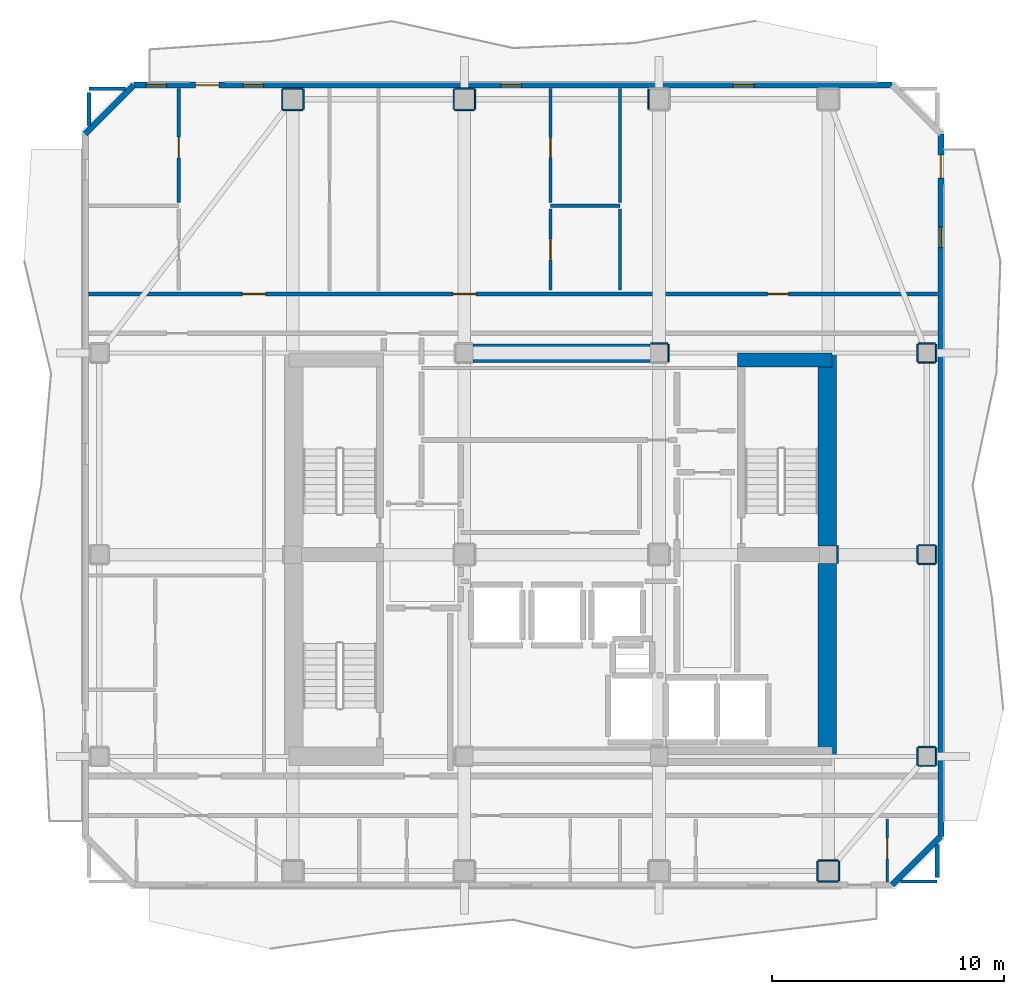
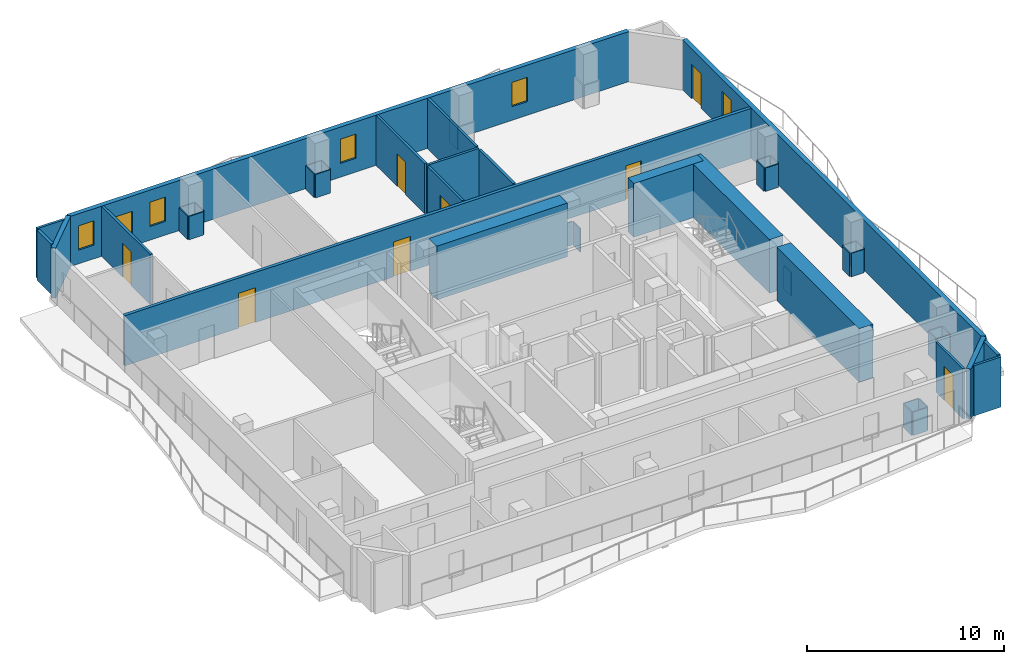
# One storey, part 5 of 10: 48 walls, 9 doors, 5 windows, 14 openings.
"""IFC4 building model written with IfcOpenShell, lengths in metres."""

from ifc_helpers import new_model, si_unit, direction, frame, frame_2d, origin, place, context, subcontext, project, spatial, rectangle, extrude, material, layer, layer_set, type_object, element, fill, save


model = new_model("IFC4")

# Units and contexts
model_context = context("Model", 3, precision=1e-05, world=origin(), true_north=direction((0.0, 1.0)))
body_context = subcontext(model_context, "Body", "Model", "MODEL_VIEW")
ifc_project = project(units=[si_unit("LENGTHUNIT", "METRE"), si_unit("AREAUNIT", "SQUARE_METRE"), si_unit("VOLUMEUNIT", "CUBIC_METRE"), si_unit("PLANEANGLEUNIT", "RADIAN"), si_unit("MASSUNIT", "GRAM", prefix="KILO")], contexts=[model_context])

# Site, building, storey
site_placement = place(None, origin())
site = spatial("IfcSite", under=ifc_project, at=site_placement, CompositionType="ELEMENT")
building_placement = place(site_placement, origin())
building = spatial("IfcBuilding", under=site, at=building_placement, Name="Solanera Arch Residences", CompositionType="ELEMENT")
storey_placement = place(building_placement, frame((0.0, 0.0, 262.239990234375)))
storey = spatial("IfcBuildingStorey", under=building, at=storey_placement, Name="L76", CompositionType="ELEMENT", Elevation=262.239990234375)

# Walls
ifc_material_1 = material(Name="Fire-Rated Gypsum Stud Partition", Category="gypsum")
ifc_layer_1 = layer(ifc_material_1, 0.06005859375)
ifc_layer_set_1 = layer_set([ifc_layer_1], Name="Fire-Rated Gypsum Stud Partition")
wall_type_1 = type_object("IfcWallType", Name="Column Acoustic Furring Wall 60", PredefinedType="PARTITIONING", material=ifc_layer_set_1)
wall_1_placement = place(storey_placement, frame((28.8330078125, 39.806884765625, 0.0), z_axis=(0.0, 0.0, 1.0), x_axis=(1.0, 0.0, 0.0)))
element("IfcWall", 1, at=wall_1_placement, inside=storey, type_object=wall_type_1, Name="L76 Column Furring 4N", PredefinedType="PARTITIONING", context=body_context, shape_type="SweptSolid", body=[
    extrude(rectangle(XDim=0.741943359375, YDim=0.06005859375, at=frame_2d((0.37109375, 0.0))), origin(), (0.0, 0.0, 1.0), 1.449951171875),
])
for number, where, z_axis, x_axis, name in (
    (2, (29.60693359375, 39.02490234375, 0.0), (0.0, 0.0, 1.0), (0.0, 1.0, 0.0), "L76 Column Furring 4E"),
    (3, (36.906982421875, 30.324951171875, 0.0), (0.0, 0.0, 1.0), (0.0, 1.0, 0.0), "L76 Column Furring 6E"),
):
    element("IfcWall", number, at=place(storey_placement, frame(where, z_axis=z_axis, x_axis=x_axis)), inside=storey, type_object=wall_type_1, Name=name, PredefinedType="PARTITIONING", context=body_context, shape_type="SweptSolid", body=[
        extrude(rectangle(XDim=0.75, YDim=0.06005859375, at=frame_2d((0.375, 0.0))), origin(), (0.0, 0.0, 1.0), 1.449951171875),
    ])
for number, where, z_axis, x_axis, name in (
    (4, (12.97509765625, 49.89306640625, 0.0), (0.0, 0.0, 1.0), (1.0, 0.0, 0.0), "L76 Column Furring 10S"),
    (5, (12.97509765625, 50.806884765625, 0.0), (0.0, 0.0, 1.0), (1.0, 0.0, 0.0), "L76 Column Furring 10N"),
    (6, (12.943115234375, 49.925048828125, 0.0), (0.0, 0.0, 1.0), (0.0, 1.0, 0.0), "L76 Column Furring 10W"),
    (7, (13.85693359375, 49.925048828125, 0.0), (0.0, 0.0, 1.0), (0.0, 1.0, 0.0), "L76 Column Furring 10E"),
):
    element("IfcWall", number, at=place(storey_placement, frame(where, z_axis=z_axis, x_axis=x_axis)), inside=storey, type_object=wall_type_1, Name=name, PredefinedType="PARTITIONING", context=body_context, shape_type="SweptSolid", body=[
        extrude(rectangle(XDim=0.849853515625, YDim=0.06005859375, at=frame_2d((0.4248046875, 0.0))), origin(), (0.0, 0.0, 1.0), 1.449951171875),
    ])
for number, where, z_axis, x_axis, name in (
    (8, (20.375, 49.89306640625, 0.0), (0.0, 0.0, 1.0), (1.0, 0.0, 0.0), "L76 Column Furring 12S"),
    (9, (20.375, 50.806884765625, 0.0), (0.0, 0.0, 1.0), (1.0, 0.0, 0.0), "L76 Column Furring 12N"),
):
    element("IfcWall", number, at=place(storey_placement, frame(where, z_axis=z_axis, x_axis=x_axis)), inside=storey, type_object=wall_type_1, Name=name, PredefinedType="PARTITIONING", context=body_context, shape_type="SweptSolid", body=[
        extrude(rectangle(XDim=0.85009765625, YDim=0.06005859375, at=frame_2d((0.425048828125, 0.0))), origin(), (0.0, 0.0, 1.0), 1.449951171875),
    ])
for number, where, z_axis, x_axis, name in (
    (10, (20.343017578125, 49.925048828125, 0.0), (0.0, 0.0, 1.0), (0.0, 1.0, 0.0), "L76 Column Furring 12W"),
    (11, (21.257080078125, 49.925048828125, 0.0), (0.0, 0.0, 1.0), (0.0, 1.0, 0.0), "L76 Column Furring 12E"),
    (12, (28.742919921875, 49.925048828125, 0.0), (0.0, 0.0, 1.0), (0.0, 1.0, 0.0), "L76 Column Furring 14W"),
):
    element("IfcWall", number, at=place(storey_placement, frame(where, z_axis=z_axis, x_axis=x_axis)), inside=storey, type_object=wall_type_1, Name=name, PredefinedType="PARTITIONING", context=body_context, shape_type="SweptSolid", body=[
        extrude(rectangle(XDim=0.849853515625, YDim=0.06005859375, at=frame_2d((0.4248046875, 0.0))), origin(), (0.0, 0.0, 1.0), 1.449951171875),
    ])
for number, where, z_axis, x_axis, name in (
    (13, (36.074951171875, 16.593017578125, 0.0), (0.0, 0.0, 1.0), (1.0, 0.0, 0.0), "L76 Column Furring 15S"),
    (14, (36.074951171875, 17.507080078125, 0.0), (0.0, 0.0, 1.0), (1.0, 0.0, 0.0), "L76 Column Furring 15N"),
    (15, (36.04296875, 16.625, 0.0), (0.0, 0.0, 1.0), (0.0, 1.0, 0.0), "L76 Column Furring 15W"),
    (16, (36.95703125, 16.625, 0.0), (0.0, 0.0, 1.0), (0.0, 1.0, 0.0), "L76 Column Furring 15E"),
):
    element("IfcWall", number, at=place(storey_placement, frame(where, z_axis=z_axis, x_axis=x_axis)), inside=storey, type_object=wall_type_1, Name=name, PredefinedType="PARTITIONING", context=body_context, shape_type="SweptSolid", body=[
        extrude(rectangle(XDim=0.85009765625, YDim=0.06005859375, at=frame_2d((0.425048828125, 0.0))), origin(), (0.0, 0.0, 1.0), 1.449951171875),
    ])
for number, where, z_axis, x_axis, name in (
    (17, (40.375, 21.593017578125, 0.0), (0.0, 0.0, 1.0), (1.0, 0.0, 0.0), "L76 Column Furring 18S"),
    (18, (40.375, 22.406982421875, 0.0), (0.0, 0.0, 1.0), (1.0, 0.0, 0.0), "L76 Column Furring 18N"),
    (19, (40.343017578125, 21.625, 0.0), (0.0, 0.0, 1.0), (0.0, 1.0, 0.0), "L76 Column Furring 18W"),
    (20, (41.156982421875, 21.625, 0.0), (0.0, 0.0, 1.0), (0.0, 1.0, 0.0), "L76 Column Furring 18E"),
    (21, (40.375, 30.29296875, 0.0), (0.0, 0.0, 1.0), (1.0, 0.0, 0.0), "L76 Column Furring 20S"),
    (22, (40.375, 31.10693359375, 0.0), (0.0, 0.0, 1.0), (1.0, 0.0, 0.0), "L76 Column Furring 20N"),
    (23, (40.343017578125, 30.324951171875, 0.0), (0.0, 0.0, 1.0), (0.0, 1.0, 0.0), "L76 Column Furring 20W"),
    (24, (41.156982421875, 30.324951171875, 0.0), (0.0, 0.0, 1.0), (0.0, 1.0, 0.0), "L76 Column Furring 20E"),
    (25, (40.375, 38.992919921875, 0.0), (0.0, 0.0, 1.0), (1.0, 0.0, 0.0), "L76 Column Furring 22S"),
    (26, (40.375, 39.806884765625, 0.0), (0.0, 0.0, 1.0), (1.0, 0.0, 0.0), "L76 Column Furring 22N"),
    (27, (40.343017578125, 39.02490234375, 0.0), (0.0, 0.0, 1.0), (0.0, 1.0, 0.0), "L76 Column Furring 22W"),
    (28, (41.156982421875, 39.02490234375, 0.0), (0.0, 0.0, 1.0), (0.0, 1.0, 0.0), "L76 Column Furring 22E"),
):
    element("IfcWall", number, at=place(storey_placement, frame(where, z_axis=z_axis, x_axis=x_axis)), inside=storey, type_object=wall_type_1, Name=name, PredefinedType="PARTITIONING", context=body_context, shape_type="SweptSolid", body=[
        extrude(rectangle(XDim=0.75, YDim=0.06005859375, at=frame_2d((0.375, 0.0))), origin(), (0.0, 0.0, 1.0), 1.449951171875),
    ])
ifc_material_2 = material(Name="Concrete C40/50 (f'c = 45 MPa)", Category="concrete")
ifc_layer_2 = layer(ifc_material_2, 0.60009765625)
ifc_layer_set_2 = layer_set([ifc_layer_2], Name="Concrete C40/50 (f'c = 45 MPa)")
wall_type_2 = type_object("IfcWallType", Name="Core Shear Wall CW-600", PredefinedType="SHEAR", material=ifc_layer_set_2)
wall_2_placement = place(storey_placement, frame((32.580078125, 39.10009765625, 0.0), z_axis=(0.0, 0.0, 1.0), x_axis=(1.0, 0.0, 0.0)))
element("IfcWall", 29, at=wall_2_placement, inside=storey, type_object=wall_type_2, Name="L76 North-East Core Shear Wall", PredefinedType="SHEAR", context=body_context, shape_type="SweptSolid", body=[
    extrude(rectangle(XDim=4.079833984375, YDim=0.60009765625, at=frame_2d((2.0400390625, 0.0))), origin(), (0.0, 0.0, 1.0), 3.320068359375),
])
ifc_material_3 = material(Name="Concrete C40/50 (f'c = 45 MPa)", Category="concrete")
ifc_layer_3 = layer(ifc_material_3, 0.800048828125)
ifc_layer_set_3 = layer_set([ifc_layer_3], Name="Concrete C40/50 (f'c = 45 MPa)")
wall_type_3 = type_object("IfcWallType", Name="Core Shear Wall CW-800", PredefinedType="SHEAR", material=ifc_layer_set_3)
wall_3_placement = place(storey_placement, frame((36.4599609375, 22.0, 0.0), z_axis=(0.0, 0.0, 1.0), x_axis=(0.0, 1.0, 0.0)))
element("IfcWall", 30, at=wall_3_placement, inside=storey, type_object=wall_type_3, Name="L76 East Core South Shear Wall", PredefinedType="SHEAR", context=body_context, shape_type="SweptSolid", body=[
    extrude(rectangle(XDim=8.320068359375, YDim=0.800048828125, at=frame_2d((4.16015625, 0.0))), origin(), (0.0, 0.0, 1.0), 3.320068359375),
])
wall_4_placement = place(storey_placement, frame((36.4599609375, 31.080078125, 0.0), z_axis=(0.0, 0.0, 1.0), x_axis=(0.0, 1.0, 0.0)))
element("IfcWall", 31, at=wall_4_placement, inside=storey, type_object=wall_type_3, Name="L76 East Core North Shear Wall", PredefinedType="SHEAR", context=body_context, shape_type="SweptSolid", body=[
    extrude(rectangle(XDim=8.31982421875, YDim=0.800048828125, at=frame_2d((4.159912109375, 0.0))), origin(), (0.0, 0.0, 1.0), 3.320068359375),
])
wall_5_placement = place(storey_placement, frame((21.179931640625, 39.39990234375, 0.0), z_axis=(0.0, 0.0, 1.0), x_axis=(1.0, 0.0, 0.0)))
element("IfcWall", 32, at=wall_5_placement, inside=storey, type_object=wall_type_3, Name="L76 Central North Core Shear Wall", PredefinedType="SHEAR", context=body_context, shape_type="SweptSolid", body=[
    extrude(rectangle(XDim=7.64013671875, YDim=0.800048828125, at=frame_2d((3.820068359375, 0.0))), origin(), (0.0, 0.0, 1.0), 3.320068359375),
])

# Wall, openings, doors
ifc_material_4 = material(Name="Autoclaved Aerated Concrete Blockwork", Category="masonry")
ifc_layer_4 = layer(ifc_material_4, 0.179931640625)
ifc_layer_set_4 = layer_set([ifc_layer_4], Name="Autoclaved Aerated Concrete Blockwork")
wall_type_4 = type_object("IfcWallType", Name="Corridor Fire Partition 180", PredefinedType="PARTITIONING", material=ifc_layer_set_4)
wall_6_placement = place(storey_placement, frame((4.5869140625, 41.949951171875, 0.0), z_axis=(0.0, 0.0, 1.0), x_axis=(1.0, 0.0, 0.0)))
wall_6 = element("IfcWall", 33, at=wall_6_placement, inside=storey, type_object=wall_type_4, Name="L76 Interior Partition H12", PredefinedType="PARTITIONING", context=body_context, shape_type="SweptSolid", body=[
    extrude(rectangle(XDim=36.6259765625, YDim=0.179931640625, at=frame_2d((18.31298828125, 0.0))), origin(), (0.0, 0.0, 1.0), 3.10009765625),
])
opening_1_placement = place(wall_6_placement, frame((6.638916015625, 0.0, 0.0)))
opening_1 = element("IfcOpeningElement", 34, at=opening_1_placement, cuts=wall_6, Name="Opening DI-01", PredefinedType="OPENING", context=body_context, shape_type="SweptSolid", body=[
    extrude(rectangle(XDim=1.0, YDim=2.14990234375, at=frame_2d((0.5, 1.074951171875))), frame((0.0, 0.10009765625, 0.0), z_axis=(0.0, -1.0, 0.0), x_axis=(1.0, 0.0, 0.0)), (0.0, 0.0, 1.0), 0.1999),
])
opening_2_placement = place(wall_6_placement, frame((15.720947265625, 0.0, 0.0)))
opening_2 = element("IfcOpeningElement", 35, at=opening_2_placement, cuts=wall_6, Name="Opening DI-01", PredefinedType="OPENING", context=body_context, shape_type="SweptSolid", body=[
    extrude(rectangle(XDim=1.0, YDim=2.14990234375, at=frame_2d((0.5, 1.074951171875))), frame((0.0, 0.10009765625, 0.0), z_axis=(0.0, -1.0, 0.0), x_axis=(1.0, 0.0, 0.0)), (0.0, 0.0, 1.0), 0.1999),
])
opening_3_placement = place(wall_6_placement, frame((29.299072265625, 0.0, 0.0)))
opening_3 = element("IfcOpeningElement", 36, at=opening_3_placement, cuts=wall_6, Name="Opening DI-02", PredefinedType="OPENING", context=body_context, shape_type="SweptSolid", body=[
    extrude(rectangle(XDim=0.89990234375, YDim=2.10009765625, at=frame_2d((0.449951171875, 1.050048828125))), frame((0.0, 0.10009765625, 0.0), z_axis=(0.0, -1.0, 0.0), x_axis=(1.0, 0.0, 0.0)), (0.0, 0.0, 1.0), 0.1999),
])
ifc_material_5 = material(Name="Fire-Rated Architectural Hardwood", Category="wood")
door_type_1 = type_object("IfcDoorType", Name="Suite Room Swing Door DI-02", OperationType="NOTDEFINED", PredefinedType="DOOR", material=ifc_material_5)
door_1_placement = place(opening_3_placement, origin())
door_1 = element("IfcDoor", 37, at=door_1_placement, inside=storey, type_object=door_type_1, Name="DR-L76-IN-030", OperationType="SINGLE_SWING_RIGHT", OverallHeight=2.10009765625, OverallWidth=0.89990234375, PredefinedType="DOOR", context=body_context, shape_type="SweptSolid", body=[
    extrude(rectangle(XDim=0.89990234375, YDim=2.10009765625, at=frame_2d((0.449951171875, 1.050048828125))), frame((0.0, 0.02490234375, 0.0), z_axis=(0.0, -1.0, 0.0), x_axis=(1.0, 0.0, 0.0)), (0.0, 0.0, 1.0), 0.050048828125),
])
fill(opening_3, door_1)
ifc_material_6 = material(Name="Fire-Rated Architectural Hardwood", Category="wood")
door_type_2 = type_object("IfcDoorType", Name="Unit Entrance Fire Door DI-01", OperationType="NOTDEFINED", PredefinedType="DOOR", material=ifc_material_6)
door_2_placement = place(opening_1_placement, origin())
door_2 = element("IfcDoor", 38, at=door_2_placement, inside=storey, type_object=door_type_2, Name="DR-L76-IN-023", OperationType="SINGLE_SWING_LEFT", OverallHeight=2.14990234375, OverallWidth=1.0, PredefinedType="DOOR", context=body_context, shape_type="SweptSolid", body=[
    extrude(rectangle(XDim=1.0, YDim=2.14990234375, at=frame_2d((0.5, 1.074951171875))), frame((0.0, 0.02490234375, 0.0), z_axis=(0.0, -1.0, 0.0), x_axis=(1.0, 0.0, 0.0)), (0.0, 0.0, 1.0), 0.050048828125),
])
fill(opening_1, door_2)
door_3_placement = place(opening_2_placement, origin())
door_3 = element("IfcDoor", 39, at=door_3_placement, inside=storey, type_object=door_type_2, Name="DR-L76-IN-027", OperationType="SINGLE_SWING_LEFT", OverallHeight=2.14990234375, OverallWidth=1.0, PredefinedType="DOOR", context=body_context, shape_type="SweptSolid", body=[
    extrude(rectangle(XDim=1.0, YDim=2.14990234375, at=frame_2d((0.5, 1.074951171875))), frame((0.0, 0.02490234375, 0.0), z_axis=(0.0, -1.0, 0.0), x_axis=(1.0, 0.0, 0.0)), (0.0, 0.0, 1.0), 0.050048828125),
])
fill(opening_2, door_3)

# Walls
wall_7_placement = place(storey_placement, frame((4.60009765625, 49.2109375, 0.0), z_axis=(0.0, 0.0, 1.0), x_axis=(0.0, 1.0, 0.0)))
element("IfcWall", 40, at=wall_7_placement, inside=storey, type_object=wall_type_4, Name="L76 Interior Partition V7 2", PredefinedType="PARTITIONING", context=body_context, shape_type="SweptSolid", body=[
    extrude(rectangle(XDim=1.421142578125, YDim=0.179931640625, at=frame_2d((0.71044921875, 0.0))), origin(), (0.0, 0.0, 1.0), 3.10009765625),
])
wall_8_placement = place(storey_placement, frame((41.199951171875, 16.76806640625, 0.0), z_axis=(0.0, 0.0, 1.0), x_axis=(0.0, 1.0, 0.0)))
element("IfcWall", 41, at=wall_8_placement, inside=storey, type_object=wall_type_4, Name="L76 Interior Partition V9", PredefinedType="PARTITIONING", context=body_context, shape_type="SweptSolid", body=[
    extrude(rectangle(XDim=1.4208984375, YDim=0.179931640625, at=frame_2d((0.71044921875, 0.0))), origin(), (0.0, 0.0, 1.0), 3.10009765625),
])
ifc_material_7 = material(Name="Precast Concrete C35/45", Category="concrete")
ifc_layer_5 = layer(ifc_material_7, 0.260009765625)
ifc_layer_set_5 = layer_set([ifc_layer_5], Name="Precast Concrete C35/45")
wall_type_5 = type_object("IfcWallType", Name="Exterior Wall Precast Masonry-Frame 260", PredefinedType="STANDARD", material=ifc_layer_set_5)
wall_9_placement = place(storey_placement, frame((4.445068359375, 48.85498046875, 0.0), z_axis=(0.0, 0.0, 1.0), x_axis=(0.707065676302, 0.707147883682, 0.0)))
element("IfcWall", 42, at=wall_9_placement, inside=storey, type_object=wall_type_5, Name="L76 Tower Exterior Precast Masonry-Frame Wall CH1", PredefinedType="STANDARD", context=body_context, shape_type="SweptSolid", body=[
    extrude(rectangle(XDim=2.9697265625, YDim=0.260009765625, at=frame_2d((1.48486328125, 0.0))), origin(), (0.0, 0.0, 1.0), 3.10009765625),
])

# Wall, openings, door, windows
wall_10_placement = place(storey_placement, frame((6.544921875, 50.955078125, 0.0), z_axis=(0.0, 0.0, 1.0), x_axis=(1.0, 0.0, 0.0)))
wall_10 = element("IfcWall", 43, at=wall_10_placement, inside=storey, type_object=wall_type_5, Name="L76 Tower Exterior Precast Masonry-Frame Wall N", PredefinedType="STANDARD", context=body_context, shape_type="SweptSolid", body=[
    extrude(rectangle(XDim=32.7099609375, YDim=0.260009765625, at=frame_2d((16.35498046875, 0.0))), origin(), (0.0, 0.0, 1.0), 3.10009765625),
])
opening_4_placement = place(wall_10_placement, frame((2.6650390625, 0.0, 0.0)))
opening_4 = element("IfcOpeningElement", 44, at=opening_4_placement, cuts=wall_10, Name="Opening DB-01", PredefinedType="OPENING", context=body_context, shape_type="SweptSolid", body=[
    extrude(rectangle(XDim=1.0, YDim=2.14990234375, at=frame_2d((0.5, 1.074951171875))), frame((0.0, 0.139892578125, 0.0), z_axis=(0.0, -1.0, 0.0), x_axis=(1.0, 0.0, 0.0)), (0.0, 0.0, 1.0), 0.28),
])
opening_5_placement = place(wall_10_placement, frame((4.697998046875, 0.0, 0.85009765625)))
opening_5 = element("IfcOpeningElement", 45, at=opening_5_placement, cuts=wall_10, Name="Opening W-06", PredefinedType="OPENING", context=body_context, shape_type="SweptSolid", body=[
    extrude(rectangle(XDim=0.89990234375, YDim=1.5, at=frame_2d((0.449951171875, 0.75))), frame((0.0, 0.139892578125, 0.0), z_axis=(0.0, -1.0, 0.0), x_axis=(1.0, 0.0, 0.0)), (0.0, 0.0, 1.0), 0.28),
])
opening_6_placement = place(wall_10_placement, frame((0.509033203125, 0.0, 0.85009765625)))
opening_6 = element("IfcOpeningElement", 46, at=opening_6_placement, cuts=wall_10, Name="Opening W-06", PredefinedType="OPENING", context=body_context, shape_type="SweptSolid", body=[
    extrude(rectangle(XDim=0.89990234375, YDim=1.5, at=frame_2d((0.449951171875, 0.75))), frame((0.0, 0.139892578125, 0.0), z_axis=(0.0, -1.0, 0.0), x_axis=(1.0, 0.0, 0.0)), (0.0, 0.0, 1.0), 0.28),
])
opening_7_placement = place(wall_10_placement, frame((15.826904296875, 0.0, 0.85009765625)))
opening_7 = element("IfcOpeningElement", 47, at=opening_7_placement, cuts=wall_10, Name="Opening W-06", PredefinedType="OPENING", context=body_context, shape_type="SweptSolid", body=[
    extrude(rectangle(XDim=0.89990234375, YDim=1.5, at=frame_2d((0.449951171875, 0.75))), frame((0.0, 0.139892578125, 0.0), z_axis=(0.0, -1.0, 0.0), x_axis=(1.0, 0.0, 0.0)), (0.0, 0.0, 1.0), 0.28),
])
opening_8_placement = place(wall_10_placement, frame((25.85498046875, 0.0, 0.85009765625)))
opening_8 = element("IfcOpeningElement", 48, at=opening_8_placement, cuts=wall_10, Name="Opening W-06", PredefinedType="OPENING", context=body_context, shape_type="SweptSolid", body=[
    extrude(rectangle(XDim=0.89990234375, YDim=1.5, at=frame_2d((0.449951171875, 0.75))), frame((0.0, 0.139892578125, 0.0), z_axis=(0.0, -1.0, 0.0), x_axis=(1.0, 0.0, 0.0)), (0.0, 0.0, 1.0), 0.28),
])
ifc_material_8 = material(Name="Anodised Aluminium Alloy 6063-T6", Category="aluminium")
door_type_3 = type_object("IfcDoorType", Name="Glazed Balcony Swing Door DB-01", OperationType="NOTDEFINED", PredefinedType="DOOR", material=ifc_material_8)
door_4_placement = place(opening_4_placement, origin())
door_4 = element("IfcDoor", 49, at=door_4_placement, inside=storey, type_object=door_type_3, Name="DR-L76-OUT-02", OperationType="SINGLE_SWING_LEFT", OverallHeight=2.14990234375, OverallWidth=1.0, PredefinedType="DOOR", context=body_context, shape_type="SweptSolid", body=[
    extrude(rectangle(XDim=1.0, YDim=2.14990234375, at=frame_2d((0.5, 1.074951171875))), frame((0.0, 0.02490234375, 0.0), z_axis=(0.0, -1.0, 0.0), x_axis=(1.0, 0.0, 0.0)), (0.0, 0.0, 1.0), 0.050048828125),
])
fill(opening_4, door_4)
ifc_material_9 = material(Name="Double Glazed Low-E Laminated Glass", Category="glass")
window_type = type_object("IfcWindowType", Name="Punched Window W-06", PartitioningType="SINGLE_PANEL", PredefinedType="WINDOW", material=ifc_material_9)
window_1_placement = place(opening_5_placement, origin())
window_1 = element("IfcWindow", 50, at=window_1_placement, inside=storey, type_object=window_type, Name="L76 7604-LIV Punched Window", OverallHeight=1.5, OverallWidth=0.89990234375, PartitioningType="SINGLE_PANEL", PredefinedType="WINDOW", context=body_context, shape_type="SweptSolid", body=[
    extrude(rectangle(XDim=0.89990234375, YDim=1.5, at=frame_2d((0.449951171875, 0.75))), frame((0.0, 0.030029296875, 0.0), z_axis=(0.0, -1.0, 0.0), x_axis=(1.0, 0.0, 0.0)), (0.0, 0.0, 1.0), 0.06005859375),
])
fill(opening_5, window_1)
window_2_placement = place(opening_6_placement, origin())
window_2 = element("IfcWindow", 51, at=window_2_placement, inside=storey, type_object=window_type, Name="L76 7604-BR1 Punched Window", OverallHeight=1.5, OverallWidth=0.89990234375, PartitioningType="SINGLE_PANEL", PredefinedType="WINDOW", context=body_context, shape_type="SweptSolid", body=[
    extrude(rectangle(XDim=0.89990234375, YDim=1.5, at=frame_2d((0.449951171875, 0.75))), frame((0.0, 0.030029296875, 0.0), z_axis=(0.0, -1.0, 0.0), x_axis=(1.0, 0.0, 0.0)), (0.0, 0.0, 1.0), 0.06005859375),
])
fill(opening_6, window_2)
window_3_placement = place(opening_7_placement, origin())
window_3 = element("IfcWindow", 52, at=window_3_placement, inside=storey, type_object=window_type, Name="L76 7605-LIV Punched Window", OverallHeight=1.5, OverallWidth=0.89990234375, PartitioningType="SINGLE_PANEL", PredefinedType="WINDOW", context=body_context, shape_type="SweptSolid", body=[
    extrude(rectangle(XDim=0.89990234375, YDim=1.5, at=frame_2d((0.449951171875, 0.75))), frame((0.0, 0.030029296875, 0.0), z_axis=(0.0, -1.0, 0.0), x_axis=(1.0, 0.0, 0.0)), (0.0, 0.0, 1.0), 0.06005859375),
])
fill(opening_7, window_3)
window_4_placement = place(opening_8_placement, origin())
window_4 = element("IfcWindow", 53, at=window_4_placement, inside=storey, type_object=window_type, Name="L76 AMN-LOUN Punched Window", OverallHeight=1.5, OverallWidth=0.89990234375, PartitioningType="SINGLE_PANEL", PredefinedType="WINDOW", context=body_context, shape_type="SweptSolid", body=[
    extrude(rectangle(XDim=0.89990234375, YDim=1.5, at=frame_2d((0.449951171875, 0.75))), frame((0.0, 0.030029296875, 0.0), z_axis=(0.0, -1.0, 0.0), x_axis=(1.0, 0.0, 0.0)), (0.0, 0.0, 1.0), 0.06005859375),
])
fill(opening_8, window_4)

# Wall, openings, door, window
wall_11_placement = place(storey_placement, frame((41.35498046875, 48.85498046875, 0.0), z_axis=(0.0, 0.0, 1.0), x_axis=(0.0, -1.0, 0.0)))
wall_11 = element("IfcWall", 54, at=wall_11_placement, inside=storey, type_object=wall_type_5, Name="L76 Tower Exterior Precast Masonry-Frame Wall E", PredefinedType="STANDARD", context=body_context, shape_type="SweptSolid", body=[
    extrude(rectangle(XDim=30.31005859375, YDim=0.260009765625, at=frame_2d((15.155029296875, 0.0))), origin(), (0.0, 0.0, 1.0), 3.10009765625),
])
opening_9_placement = place(wall_11_placement, frame((0.909912109375, 0.0, 0.0)))
opening_9 = element("IfcOpeningElement", 55, at=opening_9_placement, cuts=wall_11, Name="Opening DB-01", PredefinedType="OPENING", context=body_context, shape_type="SweptSolid", body=[
    extrude(rectangle(XDim=1.0, YDim=2.14990234375, at=frame_2d((0.5, 1.074951171875))), frame((0.0, 0.139892578125, 0.0), z_axis=(0.0, -1.0, 0.0), x_axis=(1.0, 0.0, 0.0)), (0.0, 0.0, 1.0), 0.28),
])
opening_10_placement = place(wall_11_placement, frame((4.007080078125, 0.0, 0.85009765625)))
opening_10 = element("IfcOpeningElement", 56, at=opening_10_placement, cuts=wall_11, Name="Opening W-06", PredefinedType="OPENING", context=body_context, shape_type="SweptSolid", body=[
    extrude(rectangle(XDim=0.89990234375, YDim=1.5, at=frame_2d((0.449951171875, 0.75))), frame((0.0, 0.139892578125, 0.0), z_axis=(0.0, -1.0, 0.0), x_axis=(1.0, 0.0, 0.0)), (0.0, 0.0, 1.0), 0.28),
])
door_5_placement = place(opening_9_placement, origin())
door_5 = element("IfcDoor", 57, at=door_5_placement, inside=storey, type_object=door_type_3, Name="DR-L76-OUT-03", OperationType="SINGLE_SWING_RIGHT", OverallHeight=2.14990234375, OverallWidth=1.0, PredefinedType="DOOR", context=body_context, shape_type="SweptSolid", body=[
    extrude(rectangle(XDim=1.0, YDim=2.14990234375, at=frame_2d((0.5, 1.074951171875))), frame((0.0, 0.02490234375, 0.0), z_axis=(0.0, -1.0, 0.0), x_axis=(1.0, 0.0, 0.0)), (0.0, 0.0, 1.0), 0.050048828125),
])
fill(opening_9, door_5)
window_5_placement = place(opening_10_placement, origin())
window_5 = element("IfcWindow", 58, at=window_5_placement, inside=storey, type_object=window_type, Name="L76 AMN-LOUN Punched Window", OverallHeight=1.5, OverallWidth=0.89990234375, PartitioningType="SINGLE_PANEL", PredefinedType="WINDOW", context=body_context, shape_type="SweptSolid", body=[
    extrude(rectangle(XDim=0.89990234375, YDim=1.5, at=frame_2d((0.449951171875, 0.75))), frame((0.0, 0.030029296875, 0.0), z_axis=(0.0, -1.0, 0.0), x_axis=(1.0, 0.0, 0.0)), (0.0, 0.0, 1.0), 0.06005859375),
])
fill(opening_10, window_5)

# Wall
wall_12_placement = place(storey_placement, frame((41.35498046875, 18.544921875, 0.0), z_axis=(0.0, 0.0, 1.0), x_axis=(-0.707147883682, -0.707065676302, 0.0)))
element("IfcWall", 59, at=wall_12_placement, inside=storey, type_object=wall_type_5, Name="L76 Tower Exterior Precast Masonry-Frame Wall CH5", PredefinedType="STANDARD", context=body_context, shape_type="SweptSolid", body=[
    extrude(rectangle(XDim=2.9697265625, YDim=0.260009765625, at=frame_2d((1.48486328125, 0.0))), origin(), (0.0, 0.0, 1.0), 3.10009765625),
])

# Wall, opening, door
ifc_material_10 = material(Name="Fire-Rated Gypsum Stud Partition", Category="gypsum")
ifc_layer_6 = layer(ifc_material_10, 0.1201171875)
ifc_layer_set_6 = layer_set([ifc_layer_6], Name="Fire-Rated Gypsum Stud Partition")
wall_type_6 = type_object("IfcWallType", Name="Unit Drywall Partition 120", PredefinedType="PARTITIONING", material=ifc_layer_set_6)
wall_13_placement = place(storey_placement, frame((39.050048828125, 16.5869140625, 0.0), z_axis=(0.0, 0.0, 1.0), x_axis=(0.0, 1.0, 0.0)))
wall_13 = element("IfcWall", 60, at=wall_13_placement, inside=storey, type_object=wall_type_6, Name="L76 Interior Partition V25", PredefinedType="PARTITIONING", context=body_context, shape_type="SweptSolid", body=[
    extrude(rectangle(XDim=2.705078125, YDim=0.1201171875, at=frame_2d((1.3525390625, 0.0))), origin(), (0.0, 0.0, 1.0), 3.10009765625),
])
opening_11_placement = place(wall_13_placement, frame((0.988037109375, 0.0, 0.0)))
opening_11 = element("IfcOpeningElement", 61, at=opening_11_placement, cuts=wall_13, Name="Opening DI-02", PredefinedType="OPENING", context=body_context, shape_type="SweptSolid", body=[
    extrude(rectangle(XDim=0.89990234375, YDim=2.10009765625, at=frame_2d((0.449951171875, 1.050048828125))), frame((0.0, 0.070068359375, 0.0), z_axis=(0.0, -1.0, 0.0), x_axis=(1.0, 0.0, 0.0)), (0.0, 0.0, 1.0), 0.1401),
])
door_6_placement = place(opening_11_placement, origin())
door_6 = element("IfcDoor", 62, at=door_6_placement, inside=storey, type_object=door_type_1, Name="DR-L76-IN-022", OperationType="SINGLE_SWING_RIGHT", OverallHeight=2.10009765625, OverallWidth=0.89990234375, PredefinedType="DOOR", context=body_context, shape_type="SweptSolid", body=[
    extrude(rectangle(XDim=0.89990234375, YDim=2.10009765625, at=frame_2d((0.449951171875, 1.050048828125))), frame((0.0, 0.02490234375, 0.0), z_axis=(0.0, -1.0, 0.0), x_axis=(1.0, 0.0, 0.0)), (0.0, 0.0, 1.0), 0.050048828125),
])
fill(opening_11, door_6)

# Walls
ifc_material_11 = material(Name="Autoclaved Aerated Concrete Blockwork", Category="masonry")
ifc_layer_7 = layer(ifc_material_11, 0.139892578125)
ifc_layer_set_7 = layer_set([ifc_layer_7], Name="Autoclaved Aerated Concrete Blockwork")
wall_type_7 = type_object("IfcWallType", Name="Wet-Room Partition 140", PredefinedType="PARTITIONING", material=ifc_layer_set_7)
wall_14_placement = place(storey_placement, frame((39.611083984375, 16.60009765625, 0.0), z_axis=(0.0, 0.0, 1.0), x_axis=(1.0, 0.0, 0.0)))
element("IfcWall", 63, at=wall_14_placement, inside=storey, type_object=wall_type_7, Name="L76 Interior Partition H13 2", PredefinedType="PARTITIONING", context=body_context, shape_type="SweptSolid", body=[
    extrude(rectangle(XDim=1.5888671875, YDim=0.139892578125, at=frame_2d((0.79443359375, 0.0))), origin(), (0.0, 0.0, 1.0), 3.10009765625),
])
wall_15_placement = place(storey_placement, frame((24.52001953125, 45.756103515625, 0.0), z_axis=(0.0, 0.0, 1.0), x_axis=(1.0, 0.0, 0.0)))
element("IfcWall", 64, at=wall_15_placement, inside=storey, type_object=wall_type_7, Name="L76 Interior Partition H17", PredefinedType="PARTITIONING", context=body_context, shape_type="SweptSolid", body=[
    extrude(rectangle(XDim=3.0, YDim=0.139892578125, at=frame_2d((1.5, 0.0))), origin(), (0.0, 0.0, 1.0), 3.10009765625),
])
wall_16_placement = place(storey_placement, frame((4.60009765625, 50.800048828125, 0.0), z_axis=(0.0, 0.0, 1.0), x_axis=(1.0, 0.0, 0.0)))
element("IfcWall", 65, at=wall_16_placement, inside=storey, type_object=wall_type_7, Name="L76 Interior Partition H18 1", PredefinedType="PARTITIONING", context=body_context, shape_type="SweptSolid", body=[
    extrude(rectangle(XDim=1.5888671875, YDim=0.139892578125, at=frame_2d((0.79443359375, 0.0))), origin(), (0.0, 0.0, 1.0), 3.10009765625),
])

# Wall, opening, door
wall_17_placement = place(storey_placement, frame((8.472900390625, 45.904052734375, 0.0), z_axis=(0.0, 0.0, 1.0), x_axis=(0.0, 1.0, 0.0)))
wall_17 = element("IfcWall", 66, at=wall_17_placement, inside=storey, type_object=wall_type_7, Name="L76 Interior Partition V13 2", PredefinedType="PARTITIONING", context=body_context, shape_type="SweptSolid", body=[
    extrude(rectangle(XDim=4.908935546875, YDim=0.139892578125, at=frame_2d((2.45458984375, 0.0))), origin(), (0.0, 0.0, 1.0), 3.10009765625),
])
opening_12_placement = place(wall_17_placement, frame((1.910888671875, 0.0, 0.0)))
opening_12 = element("IfcOpeningElement", 67, at=opening_12_placement, cuts=wall_17, Name="Opening DI-03", PredefinedType="OPENING", context=body_context, shape_type="SweptSolid", body=[
    extrude(rectangle(XDim=0.89990234375, YDim=2.10009765625, at=frame_2d((0.449951171875, 1.050048828125))), frame((0.0, 0.079833984375, 0.0), z_axis=(0.0, -1.0, 0.0), x_axis=(1.0, 0.0, 0.0)), (0.0, 0.0, 1.0), 0.1599),
])
ifc_material_12 = material(Name="Fire-Rated Architectural Hardwood", Category="wood")
door_type_4 = type_object("IfcDoorType", Name="Bedroom Swing Door DI-03", OperationType="NOTDEFINED", PredefinedType="DOOR", material=ifc_material_12)
door_7_placement = place(opening_12_placement, origin())
door_7 = element("IfcDoor", 68, at=door_7_placement, inside=storey, type_object=door_type_4, Name="DR-L76-IN-025", OperationType="SINGLE_SWING_LEFT", OverallHeight=2.10009765625, OverallWidth=0.89990234375, PredefinedType="DOOR", context=body_context, shape_type="SweptSolid", body=[
    extrude(rectangle(XDim=0.89990234375, YDim=2.10009765625, at=frame_2d((0.449951171875, 1.050048828125))), frame((0.0, 0.02490234375, 0.0), z_axis=(0.0, -1.0, 0.0), x_axis=(1.0, 0.0, 0.0)), (0.0, 0.0, 1.0), 0.050048828125),
])
fill(opening_12, door_7)

wall_18_placement = place(storey_placement, frame((24.52001953125, 42.117919921875, 0.0), z_axis=(0.0, 0.0, 1.0), x_axis=(0.0, 1.0, 0.0)))
wall_18 = element("IfcWall", 69, at=wall_18_placement, inside=storey, type_object=wall_type_7, Name="L76 Interior Partition V16 1", PredefinedType="PARTITIONING", context=body_context, shape_type="SweptSolid", body=[
    extrude(rectangle(XDim=3.489990234375, YDim=0.139892578125, at=frame_2d((1.7451171875, 0.0))), origin(), (0.0, 0.0, 1.0), 3.10009765625),
])
opening_13_placement = place(wall_18_placement, frame((1.298095703125, 0.0, 0.0)))
opening_13 = element("IfcOpeningElement", 70, at=opening_13_placement, cuts=wall_18, Name="Opening DI-02", PredefinedType="OPENING", context=body_context, shape_type="SweptSolid", body=[
    extrude(rectangle(XDim=0.89990234375, YDim=2.10009765625, at=frame_2d((0.449951171875, 1.050048828125))), frame((0.0, 0.079833984375, 0.0), z_axis=(0.0, -1.0, 0.0), x_axis=(1.0, 0.0, 0.0)), (0.0, 0.0, 1.0), 0.1599),
])
door_8_placement = place(opening_13_placement, origin())
door_8 = element("IfcDoor", 71, at=door_8_placement, inside=storey, type_object=door_type_1, Name="DR-L76-IN-028", OperationType="SINGLE_SWING_RIGHT", OverallHeight=2.10009765625, OverallWidth=0.89990234375, PredefinedType="DOOR", context=body_context, shape_type="SweptSolid", body=[
    extrude(rectangle(XDim=0.89990234375, YDim=2.10009765625, at=frame_2d((0.449951171875, 1.050048828125))), frame((0.0, 0.02490234375, 0.0), z_axis=(0.0, -1.0, 0.0), x_axis=(1.0, 0.0, 0.0)), (0.0, 0.0, 1.0), 0.050048828125),
])
fill(opening_13, door_8)

wall_19_placement = place(storey_placement, frame((24.52001953125, 45.904052734375, 0.0), z_axis=(0.0, 0.0, 1.0), x_axis=(0.0, 1.0, 0.0)))
wall_19 = element("IfcWall", 72, at=wall_19_placement, inside=storey, type_object=wall_type_7, Name="L76 Interior Partition V16 2", PredefinedType="PARTITIONING", context=body_context, shape_type="SweptSolid", body=[
    extrude(rectangle(XDim=4.908935546875, YDim=0.139892578125, at=frame_2d((2.45458984375, 0.0))), origin(), (0.0, 0.0, 1.0), 3.10009765625),
])
opening_14_placement = place(wall_19_placement, frame((1.930908203125, 0.0, 0.0)))
opening_14 = element("IfcOpeningElement", 73, at=opening_14_placement, cuts=wall_19, Name="Opening DI-05", PredefinedType="OPENING", context=body_context, shape_type="SweptSolid", body=[
    extrude(rectangle(XDim=0.860107421875, YDim=2.02001953125, at=frame_2d((0.43017578125, 1.010009765625))), frame((0.0, 0.079833984375, 0.0), z_axis=(0.0, -1.0, 0.0), x_axis=(1.0, 0.0, 0.0)), (0.0, 0.0, 1.0), 0.1599),
])
ifc_material_13 = material(Name="Fire-Rated Architectural Hardwood", Category="wood")
door_type_5 = type_object("IfcDoorType", Name="Bathroom Swing Door DI-05", OperationType="NOTDEFINED", PredefinedType="DOOR", material=ifc_material_13)
door_9_placement = place(opening_14_placement, origin())
door_9 = element("IfcDoor", 74, at=door_9_placement, inside=storey, type_object=door_type_5, Name="DR-L76-IN-029", OperationType="SINGLE_SWING_LEFT", OverallHeight=2.02001953125, OverallWidth=0.860107421875, PredefinedType="DOOR", context=body_context, shape_type="SweptSolid", body=[
    extrude(rectangle(XDim=0.860107421875, YDim=2.02001953125, at=frame_2d((0.43017578125, 1.010009765625))), frame((0.0, 0.02490234375, 0.0), z_axis=(0.0, -1.0, 0.0), x_axis=(1.0, 0.0, 0.0)), (0.0, 0.0, 1.0), 0.050048828125),
])
fill(opening_14, door_9)

# Walls
wall_20_placement = place(storey_placement, frame((27.52001953125, 42.117919921875, 0.0), z_axis=(0.0, 0.0, 1.0), x_axis=(0.0, 1.0, 0.0)))
element("IfcWall", 75, at=wall_20_placement, inside=storey, type_object=wall_type_7, Name="L76 Interior Partition V18 1", PredefinedType="PARTITIONING", context=body_context, shape_type="SweptSolid", body=[
    extrude(rectangle(XDim=3.489990234375, YDim=0.139892578125, at=frame_2d((1.7451171875, 0.0))), origin(), (0.0, 0.0, 1.0), 3.10009765625),
])
wall_21_placement = place(storey_placement, frame((27.52001953125, 45.904052734375, 0.0), z_axis=(0.0, 0.0, 1.0), x_axis=(0.0, 1.0, 0.0)))
element("IfcWall", 76, at=wall_21_placement, inside=storey, type_object=wall_type_7, Name="L76 Interior Partition V18 2", PredefinedType="PARTITIONING", context=body_context, shape_type="SweptSolid", body=[
    extrude(rectangle(XDim=4.908935546875, YDim=0.139892578125, at=frame_2d((2.45458984375, 0.0))), origin(), (0.0, 0.0, 1.0), 3.10009765625),
])

save(model, "model.ifc")
